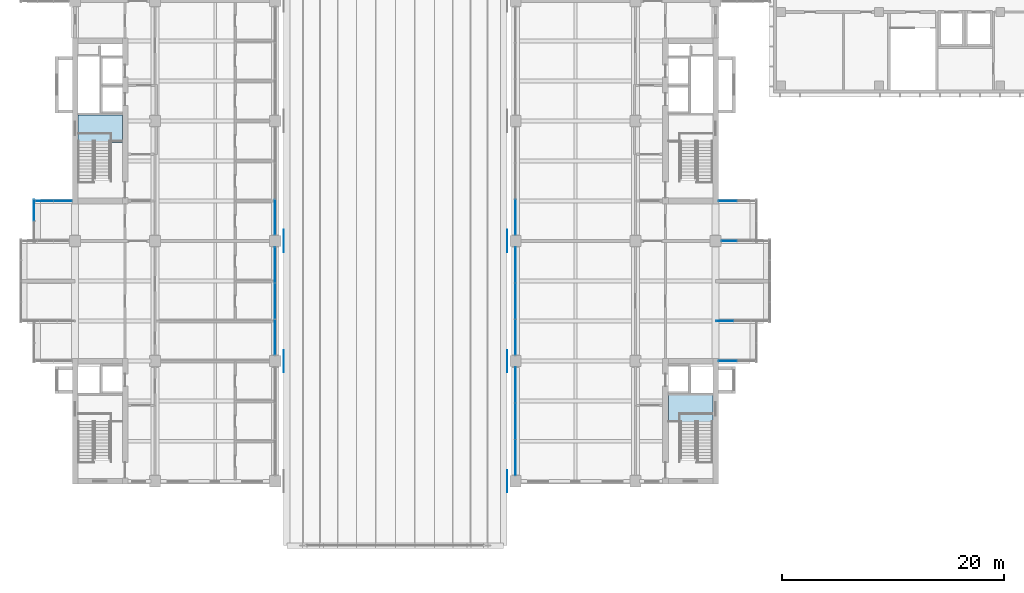
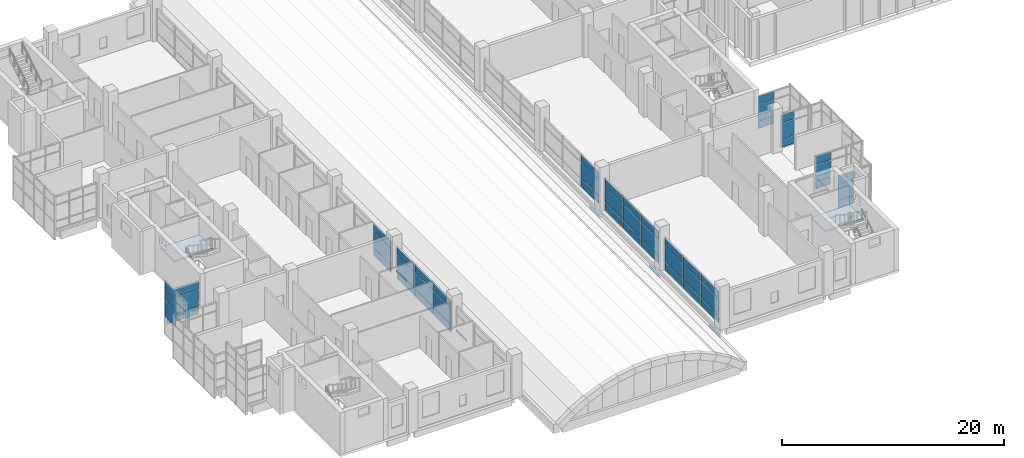
# One storey, part 25 of 45: 59 plates, 2 slabs, 13 elements without a shape of their own.
"""IFC4 building model written with IfcOpenShell, lengths in metres."""

from ifc_helpers import new_model, si_unit, direction, frame, origin, origin_2d, place, context, subcontext, project, spatial, polyline, rectangle, outline, extrude, material, layer, layer_set, type_object, element, aggregate, save


model = new_model("IFC4")

# Units and contexts
model_context = context("Model", 3, precision=1e-05, world=origin(), true_north=direction((0.0, 1.0)))
body_context = subcontext(model_context, "Body", "Model", "MODEL_VIEW")
ifc_project = project(units=[si_unit("LENGTHUNIT", "METRE"), si_unit("AREAUNIT", "SQUARE_METRE"), si_unit("VOLUMEUNIT", "CUBIC_METRE"), si_unit("PLANEANGLEUNIT", "RADIAN"), si_unit("MASSUNIT", "GRAM", prefix="KILO")], contexts=[model_context])

# Site, building, storey
site_placement = place(None, origin())
site = spatial("IfcSite", under=ifc_project, at=site_placement, CompositionType="ELEMENT")
building_placement = place(site_placement, origin())
building = spatial("IfcBuilding", under=site, at=building_placement, Name="Basin Gate Institute", CompositionType="ELEMENT")
storey_placement = place(building_placement, frame((0.0, 0.0, 22.199951171875)))
storey = spatial("IfcBuildingStorey", under=building, at=storey_placement, Name="L04", CompositionType="ELEMENT", Elevation=22.199951171875)

# Plates
ifc_material_1 = material(Name="Stainless steel", Category="steel")
ifc_layer_1 = layer(ifc_material_1, 0.0029296875)
ifc_layer_set_1 = layer_set([ifc_layer_1], Name="Stainless steel")
plate_type_1 = type_object("IfcPlateType", Name="Shell joint cover JC1", PredefinedType="SHEET", material=ifc_layer_set_1)
for number, where, z_axis, x_axis, name in (
    (1, (100.051513671875, 35.10009765625, -0.39990234375), (0.0, 0.0, 1.0), (1.0, 0.0, 0.0), "Atrium shell joint cover 1E"),
    (2, (79.948486328125, 45.89990234375, -0.39990234375), (0.0, 0.0, 1.0), (1.0, 0.0, 0.0), "Atrium shell joint cover 2W"),
    (3, (100.051513671875, 45.89990234375, -0.39990234375), (0.0, 0.0, 1.0), (1.0, 0.0, 0.0), "Atrium shell joint cover 2E"),
    (4, (79.948486328125, 56.699951171875, -0.39990234375), (0.0, 0.0, 1.0), (1.0, 0.0, 0.0), "Atrium shell joint cover 3W"),
    (5, (100.051513671875, 56.699951171875, -0.39990234375), (0.0, 0.0, 1.0), (1.0, 0.0, 0.0), "Atrium shell joint cover 3E"),
):
    element("IfcPlate", number, at=place(storey_placement, frame(where, z_axis=z_axis, x_axis=x_axis)), inside=storey, type_object=plate_type_1, material=ifc_layer_set_1, Name=name, PredefinedType="SHEET", context=body_context, shape_type="SweptSolid", body=[
        extrude(rectangle(XDim=0.0029296875, YDim=2.0, at=origin_2d()), origin(), (0.0, 0.0, 1.0), 0.300048828125),
    ])

# Curtain wall, plates
ifc_material_2 = material(Name="Aluminium-framed glazing", Category="aluminium")
ifc_layer_2 = layer(ifc_material_2, 0.199951171875)
ifc_layer_set_2 = layer_set([ifc_layer_2], Name="Atrium curtain wall CW2")
curtain_wall_type_1 = type_object("IfcCurtainWallType", Name="Atrium curtain wall CW2", PredefinedType="NOTDEFINED", material=ifc_layer_set_2)
curtain_wall_1_placement = place(storey_placement, origin())
curtain_wall_1 = element("IfcCurtainWall", 6, at=curtain_wall_1_placement, inside=storey, type_object=curtain_wall_type_1, material=ifc_layer_set_2, Name="Atrium curtain wall W wing atrium bay 2 L04", PredefinedType="NOTDEFINED")
ifc_material_3 = material(Name="Aluminium insulated spandrel panel", Category="aluminium")
ifc_layer_3 = layer(ifc_material_3, 0.050048828125)
ifc_layer_set_3 = layer_set([ifc_layer_3], Name="Spandrel panel PN2")
plate_type_2 = type_object("IfcPlateType", Name="Spandrel panel PN2", PredefinedType="CURTAIN_PANEL", material=ifc_layer_set_3)
plate_1_placement = place(storey_placement, frame((79.199951171875, 48.04833984375, 0.06005859375), z_axis=(0.0, 0.0, 1.0), x_axis=(0.0, 1.0, 0.0)))
plate_1 = element("IfcPlate", 7, at=plate_1_placement, type_object=plate_type_2, material=ifc_layer_set_3, Name="CW2 spandrel panel 1.1", PredefinedType="CURTAIN_PANEL", context=body_context, shape_type="SweptSolid", body=[
    extrude(rectangle(XDim=3.1767578125, YDim=0.050048828125, at=origin_2d()), origin(), (0.0, 0.0, 1.0), 0.81005859375),
])
plate_2_placement = place(storey_placement, frame((79.199951171875, 48.04833984375, 2.72998046875), z_axis=(0.0, 0.0, 1.0), x_axis=(0.0, 1.0, 0.0)))
plate_2 = element("IfcPlate", 8, at=plate_2_placement, type_object=plate_type_2, material=ifc_layer_set_3, Name="CW2 spandrel panel 1.3", PredefinedType="CURTAIN_PANEL", context=body_context, shape_type="SweptSolid", body=[
    extrude(rectangle(XDim=3.1767578125, YDim=0.050048828125, at=origin_2d()), origin(), (0.0, 0.0, 1.0), 0.760009765625),
])
plate_3_placement = place(storey_placement, frame((79.199951171875, 51.300048828125, 0.06005859375), z_axis=(0.0, 0.0, 1.0), x_axis=(0.0, 1.0, 0.0)))
plate_3 = element("IfcPlate", 9, at=plate_3_placement, type_object=plate_type_2, material=ifc_layer_set_3, Name="CW2 spandrel panel 2.1", PredefinedType="CURTAIN_PANEL", context=body_context, shape_type="SweptSolid", body=[
    extrude(rectangle(XDim=3.206787109375, YDim=0.050048828125, at=origin_2d()), origin(), (0.0, 0.0, 1.0), 0.81005859375),
])
plate_4_placement = place(storey_placement, frame((79.199951171875, 51.300048828125, 2.72998046875), z_axis=(0.0, 0.0, 1.0), x_axis=(0.0, 1.0, 0.0)))
plate_4 = element("IfcPlate", 10, at=plate_4_placement, type_object=plate_type_2, material=ifc_layer_set_3, Name="CW2 spandrel panel 2.3", PredefinedType="CURTAIN_PANEL", context=body_context, shape_type="SweptSolid", body=[
    extrude(rectangle(XDim=3.206787109375, YDim=0.050048828125, at=origin_2d()), origin(), (0.0, 0.0, 1.0), 0.760009765625),
])
plate_5_placement = place(storey_placement, frame((79.199951171875, 54.5517578125, 0.06005859375), z_axis=(0.0, 0.0, 1.0), x_axis=(0.0, 1.0, 0.0)))
plate_5 = element("IfcPlate", 11, at=plate_5_placement, type_object=plate_type_2, material=ifc_layer_set_3, Name="CW2 spandrel panel 3.1", PredefinedType="CURTAIN_PANEL", context=body_context, shape_type="SweptSolid", body=[
    extrude(rectangle(XDim=3.1767578125, YDim=0.050048828125, at=origin_2d()), origin(), (0.0, 0.0, 1.0), 0.81005859375),
])
plate_6_placement = place(storey_placement, frame((79.199951171875, 54.5517578125, 2.72998046875), z_axis=(0.0, 0.0, 1.0), x_axis=(0.0, 1.0, 0.0)))
plate_6 = element("IfcPlate", 12, at=plate_6_placement, type_object=plate_type_2, material=ifc_layer_set_3, Name="CW2 spandrel panel 3.3", PredefinedType="CURTAIN_PANEL", context=body_context, shape_type="SweptSolid", body=[
    extrude(rectangle(XDim=3.1767578125, YDim=0.050048828125, at=origin_2d()), origin(), (0.0, 0.0, 1.0), 0.760009765625),
])

curtain_wall_2_placement = place(storey_placement, origin())
curtain_wall_2 = element("IfcCurtainWall", 13, at=curtain_wall_2_placement, inside=storey, type_object=curtain_wall_type_1, material=ifc_layer_set_2, Name="Atrium curtain wall W wing atrium bay 3 L04", PredefinedType="NOTDEFINED")
plate_7_placement = place(storey_placement, frame((79.199951171875, 58.848388671875, 0.06005859375), z_axis=(0.0, 0.0, 1.0), x_axis=(0.0, 1.0, 0.0)))
plate_7 = element("IfcPlate", 14, at=plate_7_placement, type_object=plate_type_2, material=ifc_layer_set_3, Name="CW2 spandrel panel 1.1", PredefinedType="CURTAIN_PANEL", context=body_context, shape_type="SweptSolid", body=[
    extrude(rectangle(XDim=3.1767578125, YDim=0.050048828125, at=origin_2d()), origin(), (0.0, 0.0, 1.0), 0.81005859375),
])
plate_8_placement = place(storey_placement, frame((79.199951171875, 58.848388671875, 2.72998046875), z_axis=(0.0, 0.0, 1.0), x_axis=(0.0, 1.0, 0.0)))
plate_8 = element("IfcPlate", 15, at=plate_8_placement, type_object=plate_type_2, material=ifc_layer_set_3, Name="CW2 spandrel panel 1.3", PredefinedType="CURTAIN_PANEL", context=body_context, shape_type="SweptSolid", body=[
    extrude(rectangle(XDim=3.1767578125, YDim=0.050048828125, at=origin_2d()), origin(), (0.0, 0.0, 1.0), 0.760009765625),
])

ifc_material_4 = material(Name="Aluminium-framed glazing", Category="aluminium")
ifc_layer_4 = layer(ifc_material_4, 0.14990234375)
ifc_layer_set_4 = layer_set([ifc_layer_4], Name="Capsule front curtain wall CW1")
curtain_wall_type_2 = type_object("IfcCurtainWallType", Name="Capsule front curtain wall CW1", PredefinedType="NOTDEFINED", material=ifc_layer_set_4)
curtain_wall_3_placement = place(storey_placement, origin())
curtain_wall_3 = element("IfcCurtainWall", 16, at=curtain_wall_3_placement, inside=storey, type_object=curtain_wall_type_2, material=ifc_layer_set_4, Name="Capsule front curtain wall W wing capsule end L04 line 8", PredefinedType="NOTDEFINED")
plate_9_placement = place(storey_placement, frame((58.449951171875, 60.300048828125, 0.06005859375), z_axis=(0.0, 0.0, 1.0), x_axis=(1.0, 0.0, 0.0)))
plate_9 = element("IfcPlate", 17, at=plate_9_placement, type_object=plate_type_2, material=ifc_layer_set_3, Name="CW1 spandrel panel 1.1", PredefinedType="CURTAIN_PANEL", context=body_context, shape_type="SweptSolid", body=[
    extrude(rectangle(XDim=1.60009765625, YDim=0.050048828125, at=origin_2d()), origin(), (0.0, 0.0, 1.0), 0.81005859375),
])
plate_10_placement = place(storey_placement, frame((60.10009765625, 60.300048828125, 0.06005859375), z_axis=(0.0, 0.0, 1.0), x_axis=(1.0, 0.0, 0.0)))
plate_10 = element("IfcPlate", 18, at=plate_10_placement, type_object=plate_type_2, material=ifc_layer_set_3, Name="CW1 spandrel panel 2.1", PredefinedType="CURTAIN_PANEL", context=body_context, shape_type="SweptSolid", body=[
    extrude(rectangle(XDim=1.60009765625, YDim=0.050048828125, at=origin_2d()), origin(), (0.0, 0.0, 1.0), 0.81005859375),
])

# Curtain wall, plate
curtain_wall_4_placement = place(storey_placement, origin())
curtain_wall_4 = element("IfcCurtainWall", 19, at=curtain_wall_4_placement, inside=storey, type_object=curtain_wall_type_2, material=ifc_layer_set_4, Name="Capsule front curtain wall W wing capsule 1 L04 front 4", PredefinedType="NOTDEFINED")
plate_11_placement = place(storey_placement, frame((57.52490234375, 59.46240234375, 3.780029296875), z_axis=(0.0, 0.0, 1.0), x_axis=(0.0, 1.0, 0.0)))
plate_11 = element("IfcPlate", 20, at=plate_11_placement, type_object=plate_type_2, material=ifc_layer_set_3, Name="CW1 spandrel panel 2.4", PredefinedType="CURTAIN_PANEL", context=body_context, shape_type="SweptSolid", body=[
    extrude(rectangle(XDim=1.875, YDim=0.050048828125, at=origin_2d()), origin(), (0.0, 0.0, 1.0), 0.9599609375),
])

# Curtain wall, plates
curtain_wall_5_placement = place(storey_placement, origin())
curtain_wall_5 = element("IfcCurtainWall", 21, at=curtain_wall_5_placement, inside=storey, type_object=curtain_wall_type_1, material=ifc_layer_set_2, Name="Atrium curtain wall E wing atrium bay 1 L04", PredefinedType="NOTDEFINED")
plate_12_placement = place(storey_placement, frame((100.800048828125, 37.248291015625, 0.06005859375), z_axis=(0.0, 0.0, 1.0), x_axis=(0.0, 1.0, 0.0)))
plate_12 = element("IfcPlate", 22, at=plate_12_placement, type_object=plate_type_2, material=ifc_layer_set_3, Name="CW2 spandrel panel 1.1", PredefinedType="CURTAIN_PANEL", context=body_context, shape_type="SweptSolid", body=[
    extrude(rectangle(XDim=3.1767578125, YDim=0.050048828125, at=origin_2d()), origin(), (0.0, 0.0, 1.0), 0.81005859375),
])
plate_13_placement = place(storey_placement, frame((100.800048828125, 37.248291015625, 2.72998046875), z_axis=(0.0, 0.0, 1.0), x_axis=(0.0, 1.0, 0.0)))
plate_13 = element("IfcPlate", 23, at=plate_13_placement, type_object=plate_type_2, material=ifc_layer_set_3, Name="CW2 spandrel panel 1.3", PredefinedType="CURTAIN_PANEL", context=body_context, shape_type="SweptSolid", body=[
    extrude(rectangle(XDim=3.1767578125, YDim=0.050048828125, at=origin_2d()), origin(), (0.0, 0.0, 1.0), 0.760009765625),
])
plate_14_placement = place(storey_placement, frame((100.800048828125, 40.5, 0.06005859375), z_axis=(0.0, 0.0, 1.0), x_axis=(0.0, 1.0, 0.0)))
plate_14 = element("IfcPlate", 24, at=plate_14_placement, type_object=plate_type_2, material=ifc_layer_set_3, Name="CW2 spandrel panel 2.1", PredefinedType="CURTAIN_PANEL", context=body_context, shape_type="SweptSolid", body=[
    extrude(rectangle(XDim=3.206787109375, YDim=0.050048828125, at=origin_2d()), origin(), (0.0, 0.0, 1.0), 0.81005859375),
])
plate_15_placement = place(storey_placement, frame((100.800048828125, 40.5, 2.72998046875), z_axis=(0.0, 0.0, 1.0), x_axis=(0.0, 1.0, 0.0)))
plate_15 = element("IfcPlate", 25, at=plate_15_placement, type_object=plate_type_2, material=ifc_layer_set_3, Name="CW2 spandrel panel 2.3", PredefinedType="CURTAIN_PANEL", context=body_context, shape_type="SweptSolid", body=[
    extrude(rectangle(XDim=3.206787109375, YDim=0.050048828125, at=origin_2d()), origin(), (0.0, 0.0, 1.0), 0.760009765625),
])
plate_16_placement = place(storey_placement, frame((100.800048828125, 43.751708984375, 0.06005859375), z_axis=(0.0, 0.0, 1.0), x_axis=(0.0, 1.0, 0.0)))
plate_16 = element("IfcPlate", 26, at=plate_16_placement, type_object=plate_type_2, material=ifc_layer_set_3, Name="CW2 spandrel panel 3.1", PredefinedType="CURTAIN_PANEL", context=body_context, shape_type="SweptSolid", body=[
    extrude(rectangle(XDim=3.1767578125, YDim=0.050048828125, at=origin_2d()), origin(), (0.0, 0.0, 1.0), 0.81005859375),
])
plate_17_placement = place(storey_placement, frame((100.800048828125, 43.751708984375, 2.72998046875), z_axis=(0.0, 0.0, 1.0), x_axis=(0.0, 1.0, 0.0)))
plate_17 = element("IfcPlate", 27, at=plate_17_placement, type_object=plate_type_2, material=ifc_layer_set_3, Name="CW2 spandrel panel 3.3", PredefinedType="CURTAIN_PANEL", context=body_context, shape_type="SweptSolid", body=[
    extrude(rectangle(XDim=3.1767578125, YDim=0.050048828125, at=origin_2d()), origin(), (0.0, 0.0, 1.0), 0.760009765625),
])

curtain_wall_6_placement = place(storey_placement, origin())
curtain_wall_6 = element("IfcCurtainWall", 28, at=curtain_wall_6_placement, inside=storey, type_object=curtain_wall_type_1, material=ifc_layer_set_2, Name="Atrium curtain wall E wing atrium bay 2 L04", PredefinedType="NOTDEFINED")
plate_18_placement = place(storey_placement, frame((100.800048828125, 48.04833984375, 0.06005859375), z_axis=(0.0, 0.0, 1.0), x_axis=(0.0, 1.0, 0.0)))
plate_18 = element("IfcPlate", 29, at=plate_18_placement, type_object=plate_type_2, material=ifc_layer_set_3, Name="CW2 spandrel panel 1.1", PredefinedType="CURTAIN_PANEL", context=body_context, shape_type="SweptSolid", body=[
    extrude(rectangle(XDim=3.1767578125, YDim=0.050048828125, at=origin_2d()), origin(), (0.0, 0.0, 1.0), 0.81005859375),
])
plate_19_placement = place(storey_placement, frame((100.800048828125, 48.04833984375, 2.72998046875), z_axis=(0.0, 0.0, 1.0), x_axis=(0.0, 1.0, 0.0)))
plate_19 = element("IfcPlate", 30, at=plate_19_placement, type_object=plate_type_2, material=ifc_layer_set_3, Name="CW2 spandrel panel 1.3", PredefinedType="CURTAIN_PANEL", context=body_context, shape_type="SweptSolid", body=[
    extrude(rectangle(XDim=3.1767578125, YDim=0.050048828125, at=origin_2d()), origin(), (0.0, 0.0, 1.0), 0.760009765625),
])
plate_20_placement = place(storey_placement, frame((100.800048828125, 51.300048828125, 0.06005859375), z_axis=(0.0, 0.0, 1.0), x_axis=(0.0, 1.0, 0.0)))
plate_20 = element("IfcPlate", 31, at=plate_20_placement, type_object=plate_type_2, material=ifc_layer_set_3, Name="CW2 spandrel panel 2.1", PredefinedType="CURTAIN_PANEL", context=body_context, shape_type="SweptSolid", body=[
    extrude(rectangle(XDim=3.206787109375, YDim=0.050048828125, at=origin_2d()), origin(), (0.0, 0.0, 1.0), 0.81005859375),
])
plate_21_placement = place(storey_placement, frame((100.800048828125, 51.300048828125, 2.72998046875), z_axis=(0.0, 0.0, 1.0), x_axis=(0.0, 1.0, 0.0)))
plate_21 = element("IfcPlate", 32, at=plate_21_placement, type_object=plate_type_2, material=ifc_layer_set_3, Name="CW2 spandrel panel 2.3", PredefinedType="CURTAIN_PANEL", context=body_context, shape_type="SweptSolid", body=[
    extrude(rectangle(XDim=3.206787109375, YDim=0.050048828125, at=origin_2d()), origin(), (0.0, 0.0, 1.0), 0.760009765625),
])
plate_22_placement = place(storey_placement, frame((100.800048828125, 54.5517578125, 0.06005859375), z_axis=(0.0, 0.0, 1.0), x_axis=(0.0, 1.0, 0.0)))
plate_22 = element("IfcPlate", 33, at=plate_22_placement, type_object=plate_type_2, material=ifc_layer_set_3, Name="CW2 spandrel panel 3.1", PredefinedType="CURTAIN_PANEL", context=body_context, shape_type="SweptSolid", body=[
    extrude(rectangle(XDim=3.1767578125, YDim=0.050048828125, at=origin_2d()), origin(), (0.0, 0.0, 1.0), 0.81005859375),
])
plate_23_placement = place(storey_placement, frame((100.800048828125, 54.5517578125, 2.72998046875), z_axis=(0.0, 0.0, 1.0), x_axis=(0.0, 1.0, 0.0)))
plate_23 = element("IfcPlate", 34, at=plate_23_placement, type_object=plate_type_2, material=ifc_layer_set_3, Name="CW2 spandrel panel 3.3", PredefinedType="CURTAIN_PANEL", context=body_context, shape_type="SweptSolid", body=[
    extrude(rectangle(XDim=3.1767578125, YDim=0.050048828125, at=origin_2d()), origin(), (0.0, 0.0, 1.0), 0.760009765625),
])

curtain_wall_7_placement = place(storey_placement, origin())
curtain_wall_7 = element("IfcCurtainWall", 35, at=curtain_wall_7_placement, inside=storey, type_object=curtain_wall_type_1, material=ifc_layer_set_2, Name="Atrium curtain wall E wing atrium bay 3 L04", PredefinedType="NOTDEFINED")
plate_24_placement = place(storey_placement, frame((100.800048828125, 58.848388671875, 0.06005859375), z_axis=(0.0, 0.0, 1.0), x_axis=(0.0, 1.0, 0.0)))
plate_24 = element("IfcPlate", 36, at=plate_24_placement, type_object=plate_type_2, material=ifc_layer_set_3, Name="CW2 spandrel panel 1.1", PredefinedType="CURTAIN_PANEL", context=body_context, shape_type="SweptSolid", body=[
    extrude(rectangle(XDim=3.1767578125, YDim=0.050048828125, at=origin_2d()), origin(), (0.0, 0.0, 1.0), 0.81005859375),
])
plate_25_placement = place(storey_placement, frame((100.800048828125, 58.848388671875, 2.72998046875), z_axis=(0.0, 0.0, 1.0), x_axis=(0.0, 1.0, 0.0)))
plate_25 = element("IfcPlate", 37, at=plate_25_placement, type_object=plate_type_2, material=ifc_layer_set_3, Name="CW2 spandrel panel 1.3", PredefinedType="CURTAIN_PANEL", context=body_context, shape_type="SweptSolid", body=[
    extrude(rectangle(XDim=3.1767578125, YDim=0.050048828125, at=origin_2d()), origin(), (0.0, 0.0, 1.0), 0.760009765625),
])

# Curtain wall, plate
curtain_wall_8_placement = place(storey_placement, origin())
curtain_wall_8 = element("IfcCurtainWall", 38, at=curtain_wall_8_placement, inside=storey, type_object=curtain_wall_type_2, material=ifc_layer_set_4, Name="Capsule front curtain wall E wing capsule end L04 line 4", PredefinedType="NOTDEFINED")
plate_26_placement = place(storey_placement, frame((119.89990234375, 45.89990234375, 0.06005859375), z_axis=(0.0, 0.0, 1.0), x_axis=(-1.0, 0.0, 0.0)))
plate_26 = element("IfcPlate", 39, at=plate_26_placement, type_object=plate_type_2, material=ifc_layer_set_3, Name="CW1 spandrel panel 2.1", PredefinedType="CURTAIN_PANEL", context=body_context, shape_type="SweptSolid", body=[
    extrude(rectangle(XDim=1.60009765625, YDim=0.050048828125, at=origin_2d()), origin(), (0.0, 0.0, 1.0), 0.81005859375),
])

curtain_wall_9_placement = place(storey_placement, origin())
curtain_wall_9 = element("IfcCurtainWall", 40, at=curtain_wall_9_placement, inside=storey, type_object=curtain_wall_type_2, material=ifc_layer_set_4, Name="Capsule front curtain wall E wing capsule end L04 line 5", PredefinedType="NOTDEFINED")
plate_27_placement = place(storey_placement, frame((119.612548828125, 49.5, 0.06005859375), z_axis=(0.0, 0.0, 1.0), x_axis=(-1.0, 0.0, 0.0)))
plate_27 = element("IfcPlate", 41, at=plate_27_placement, type_object=plate_type_2, material=ifc_layer_set_3, Name="CW1 spandrel panel 3.1", PredefinedType="CURTAIN_PANEL", context=body_context, shape_type="SweptSolid", body=[
    extrude(rectangle(XDim=1.52490234375, YDim=0.050048828125, at=origin_2d()), origin(), (0.0, 0.0, 1.0), 0.81005859375),
])

curtain_wall_10_placement = place(storey_placement, origin())
curtain_wall_10 = element("IfcCurtainWall", 42, at=curtain_wall_10_placement, inside=storey, type_object=curtain_wall_type_2, material=ifc_layer_set_4, Name="Capsule front curtain wall E wing capsule end L04 line 7", PredefinedType="NOTDEFINED")
plate_28_placement = place(storey_placement, frame((120.029052734375, 56.699951171875, 0.06005859375), z_axis=(0.0, 0.0, 1.0), x_axis=(-1.0, 0.0, 0.0)))
plate_28 = element("IfcPlate", 43, at=plate_28_placement, type_object=plate_type_2, material=ifc_layer_set_3, Name="CW1 spandrel panel 3.1", PredefinedType="CURTAIN_PANEL", context=body_context, shape_type="SweptSolid", body=[
    extrude(rectangle(XDim=1.3583984375, YDim=0.050048828125, at=origin_2d()), origin(), (0.0, 0.0, 1.0), 0.81005859375),
])

curtain_wall_11_placement = place(storey_placement, origin())
curtain_wall_11 = element("IfcCurtainWall", 44, at=curtain_wall_11_placement, inside=storey, type_object=curtain_wall_type_2, material=ifc_layer_set_4, Name="Capsule front curtain wall E wing capsule end L04 line 8", PredefinedType="NOTDEFINED")
plate_29_placement = place(storey_placement, frame((119.89990234375, 60.300048828125, 0.06005859375), z_axis=(0.0, 0.0, 1.0), x_axis=(-1.0, 0.0, 0.0)))
plate_29 = element("IfcPlate", 45, at=plate_29_placement, type_object=plate_type_2, material=ifc_layer_set_3, Name="CW1 spandrel panel 2.1", PredefinedType="CURTAIN_PANEL", context=body_context, shape_type="SweptSolid", body=[
    extrude(rectangle(XDim=1.60009765625, YDim=0.050048828125, at=origin_2d()), origin(), (0.0, 0.0, 1.0), 0.81005859375),
])

# Stair, slab
ifc_material_5 = material(Name="Concrete 40 MPa", Category="concrete")
stair_type = type_object("IfcStairType", Name="Stair ST", PredefinedType="HALF_TURN_STAIR", material=ifc_material_5)
stair_1_placement = place(storey_placement, origin())
stair_1 = element("IfcStair", 46, at=stair_1_placement, inside=storey, type_object=stair_type, material=ifc_material_5, Name="Special safe stair ST-WM L04", PredefinedType="HALF_TURN_STAIR")
ifc_material_6 = material(Name="Concrete 40 MPa", Category="concrete")
ifc_layer_5 = layer(ifc_material_6, 0.199951171875)
ifc_layer_set_5 = layer_set([ifc_layer_5], Name="Concrete 40 MPa")
slab_type = type_object("IfcSlabType", Name="Stair landing LN REI 120", PredefinedType="LANDING", material=ifc_layer_set_5)
slab_1_placement = place(storey_placement, frame((0.0, 0.0, 2.288818359375)))
slab_1 = element("IfcSlab", 47, at=slab_1_placement, type_object=slab_type, material=ifc_layer_set_5, Name="Stair landing ST-WM-L1 L04", PredefinedType="LANDING", context=body_context, shape_type="SweptSolid", body=[
    extrude(outline(polyline([(61.449951171875, 65.570068359375), (65.449951171875, 65.570068359375), (65.449951171875, 68.050048828125), (61.449951171875, 68.050048828125), (61.449951171875, 65.570068359375)])), origin(), (0.0, 0.0, 1.0), 0.2001953125),
])
aggregate(stair_1, [slab_1])

stair_2_placement = place(storey_placement, origin())
stair_2 = element("IfcStair", 48, at=stair_2_placement, inside=storey, type_object=stair_type, material=ifc_material_5, Name="Special safe stair ST-ES L04", PredefinedType="HALF_TURN_STAIR")
slab_2_placement = place(storey_placement, frame((0.0, 0.0, 2.288818359375)))
slab_2 = element("IfcSlab", 49, at=slab_2_placement, type_object=slab_type, material=ifc_layer_set_5, Name="Stair landing ST-ES-L1 L04", PredefinedType="LANDING", context=body_context, shape_type="SweptSolid", body=[
    extrude(outline(polyline([(118.550048828125, 42.85009765625), (114.550048828125, 42.85009765625), (114.550048828125, 40.3701171875), (118.550048828125, 40.3701171875), (118.550048828125, 42.85009765625)])), origin(), (0.0, 0.0, 1.0), 0.2001953125),
])
aggregate(stair_2, [slab_2])

# Plate
ifc_material_7 = material(Name="Double glazed unit")
ifc_layer_6 = layer(ifc_material_7, 0.028076171875)
ifc_layer_set_6 = layer_set([ifc_layer_6], Name="Vision panel PN1")
plate_type_3 = type_object("IfcPlateType", Name="Vision panel PN1", PredefinedType="CURTAIN_PANEL", material=ifc_layer_set_6)
plate_30_placement = place(storey_placement, frame((79.199951171875, 48.04833984375, 0.93017578125), z_axis=(0.0, 0.0, 1.0), x_axis=(0.0, 1.0, 0.0)))
plate_30 = element("IfcPlate", 50, at=plate_30_placement, type_object=plate_type_3, material=ifc_layer_set_6, Name="CW2 vision panel 1.2", PredefinedType="CURTAIN_PANEL", context=body_context, shape_type="SweptSolid", body=[
    extrude(rectangle(XDim=3.1767578125, YDim=0.028076171875, at=origin_2d()), origin(), (0.0, 0.0, 1.0), 1.739990234375),
])

plate_31_placement = place(storey_placement, frame((79.199951171875, 51.300048828125, 0.93017578125), z_axis=(0.0, 0.0, 1.0), x_axis=(0.0, 1.0, 0.0)))
plate_31 = element("IfcPlate", 51, at=plate_31_placement, type_object=plate_type_3, material=ifc_layer_set_6, Name="CW2 vision panel 2.2", PredefinedType="CURTAIN_PANEL", context=body_context, shape_type="SweptSolid", body=[
    extrude(rectangle(XDim=3.206787109375, YDim=0.028076171875, at=origin_2d()), origin(), (0.0, 0.0, 1.0), 1.739990234375),
])

plate_32_placement = place(storey_placement, frame((79.199951171875, 54.5517578125, 0.93017578125), z_axis=(0.0, 0.0, 1.0), x_axis=(0.0, 1.0, 0.0)))
plate_32 = element("IfcPlate", 52, at=plate_32_placement, type_object=plate_type_3, material=ifc_layer_set_6, Name="CW2 vision panel 3.2", PredefinedType="CURTAIN_PANEL", context=body_context, shape_type="SweptSolid", body=[
    extrude(rectangle(XDim=3.1767578125, YDim=0.028076171875, at=origin_2d()), origin(), (0.0, 0.0, 1.0), 1.739990234375),
])

aggregate(curtain_wall_1, [plate_1, plate_30, plate_2, plate_3, plate_31, plate_4, plate_5, plate_32, plate_6])

plate_33_placement = place(storey_placement, frame((79.199951171875, 58.848388671875, 0.93017578125), z_axis=(0.0, 0.0, 1.0), x_axis=(0.0, 1.0, 0.0)))
plate_33 = element("IfcPlate", 53, at=plate_33_placement, type_object=plate_type_3, material=ifc_layer_set_6, Name="CW2 vision panel 1.2", PredefinedType="CURTAIN_PANEL", context=body_context, shape_type="SweptSolid", body=[
    extrude(rectangle(XDim=3.1767578125, YDim=0.028076171875, at=origin_2d()), origin(), (0.0, 0.0, 1.0), 1.739990234375),
])

aggregate(curtain_wall_2, [plate_7, plate_33, plate_8])

plate_34_placement = place(storey_placement, frame((58.449951171875, 60.300048828125, 0.93017578125), z_axis=(0.0, 0.0, 1.0), x_axis=(1.0, 0.0, 0.0)))
plate_34 = element("IfcPlate", 54, at=plate_34_placement, type_object=plate_type_3, material=ifc_layer_set_6, Name="CW1 vision panel 1.2", PredefinedType="CURTAIN_PANEL", context=body_context, shape_type="SweptSolid", body=[
    extrude(rectangle(XDim=1.60009765625, YDim=0.028076171875, at=origin_2d()), origin(), (0.0, 0.0, 1.0), 1.739990234375),
])

plate_35_placement = place(storey_placement, frame((58.449951171875, 60.300048828125, 2.72998046875), z_axis=(0.0, 0.0, 1.0), x_axis=(1.0, 0.0, 0.0)))
plate_35 = element("IfcPlate", 55, at=plate_35_placement, type_object=plate_type_3, material=ifc_layer_set_6, Name="CW1 vision panel 1.3", PredefinedType="CURTAIN_PANEL", context=body_context, shape_type="SweptSolid", body=[
    extrude(rectangle(XDim=1.60009765625, YDim=0.028076171875, at=origin_2d()), origin(), (0.0, 0.0, 1.0), 0.860107421875),
])

plate_36_placement = place(storey_placement, frame((60.10009765625, 60.300048828125, 0.93017578125), z_axis=(0.0, 0.0, 1.0), x_axis=(1.0, 0.0, 0.0)))
plate_36 = element("IfcPlate", 56, at=plate_36_placement, type_object=plate_type_3, material=ifc_layer_set_6, Name="CW1 vision panel 2.2", PredefinedType="CURTAIN_PANEL", context=body_context, shape_type="SweptSolid", body=[
    extrude(rectangle(XDim=1.60009765625, YDim=0.028076171875, at=origin_2d()), origin(), (0.0, 0.0, 1.0), 1.739990234375),
])

plate_37_placement = place(storey_placement, frame((60.10009765625, 60.300048828125, 2.72998046875), z_axis=(0.0, 0.0, 1.0), x_axis=(1.0, 0.0, 0.0)))
plate_37 = element("IfcPlate", 57, at=plate_37_placement, type_object=plate_type_3, material=ifc_layer_set_6, Name="CW1 vision panel 2.3", PredefinedType="CURTAIN_PANEL", context=body_context, shape_type="SweptSolid", body=[
    extrude(rectangle(XDim=1.60009765625, YDim=0.028076171875, at=origin_2d()), origin(), (0.0, 0.0, 1.0), 0.860107421875),
])

aggregate(curtain_wall_3, [plate_9, plate_34, plate_35, plate_10, plate_36, plate_37])

plate_38_placement = place(storey_placement, frame((57.52490234375, 59.46240234375, 0.93017578125), z_axis=(0.0, 0.0, 1.0), x_axis=(0.0, 1.0, 0.0)))
plate_38 = element("IfcPlate", 58, at=plate_38_placement, type_object=plate_type_3, material=ifc_layer_set_6, Name="CW1 vision panel 2.2", PredefinedType="CURTAIN_PANEL", context=body_context, shape_type="SweptSolid", body=[
    extrude(rectangle(XDim=1.875, YDim=0.028076171875, at=origin_2d()), origin(), (0.0, 0.0, 1.0), 1.739990234375),
])

plate_39_placement = place(storey_placement, frame((57.52490234375, 59.46240234375, 2.72998046875), z_axis=(0.0, 0.0, 1.0), x_axis=(0.0, 1.0, 0.0)))
plate_39 = element("IfcPlate", 59, at=plate_39_placement, type_object=plate_type_3, material=ifc_layer_set_6, Name="CW1 vision panel 2.3", PredefinedType="CURTAIN_PANEL", context=body_context, shape_type="SweptSolid", body=[
    extrude(rectangle(XDim=1.875, YDim=0.028076171875, at=origin_2d()), origin(), (0.0, 0.0, 1.0), 0.989990234375),
])

aggregate(curtain_wall_4, [plate_38, plate_39, plate_11])

plate_40_placement = place(storey_placement, frame((100.800048828125, 37.248291015625, 0.93017578125), z_axis=(0.0, 0.0, 1.0), x_axis=(0.0, 1.0, 0.0)))
plate_40 = element("IfcPlate", 60, at=plate_40_placement, type_object=plate_type_3, material=ifc_layer_set_6, Name="CW2 vision panel 1.2", PredefinedType="CURTAIN_PANEL", context=body_context, shape_type="SweptSolid", body=[
    extrude(rectangle(XDim=3.1767578125, YDim=0.028076171875, at=origin_2d()), origin(), (0.0, 0.0, 1.0), 1.739990234375),
])

plate_41_placement = place(storey_placement, frame((100.800048828125, 40.5, 0.93017578125), z_axis=(0.0, 0.0, 1.0), x_axis=(0.0, 1.0, 0.0)))
plate_41 = element("IfcPlate", 61, at=plate_41_placement, type_object=plate_type_3, material=ifc_layer_set_6, Name="CW2 vision panel 2.2", PredefinedType="CURTAIN_PANEL", context=body_context, shape_type="SweptSolid", body=[
    extrude(rectangle(XDim=3.206787109375, YDim=0.028076171875, at=origin_2d()), origin(), (0.0, 0.0, 1.0), 1.739990234375),
])

plate_42_placement = place(storey_placement, frame((100.800048828125, 43.751708984375, 0.93017578125), z_axis=(0.0, 0.0, 1.0), x_axis=(0.0, 1.0, 0.0)))
plate_42 = element("IfcPlate", 62, at=plate_42_placement, type_object=plate_type_3, material=ifc_layer_set_6, Name="CW2 vision panel 3.2", PredefinedType="CURTAIN_PANEL", context=body_context, shape_type="SweptSolid", body=[
    extrude(rectangle(XDim=3.1767578125, YDim=0.028076171875, at=origin_2d()), origin(), (0.0, 0.0, 1.0), 1.739990234375),
])

aggregate(curtain_wall_5, [plate_12, plate_40, plate_13, plate_14, plate_41, plate_15, plate_16, plate_42, plate_17])

plate_43_placement = place(storey_placement, frame((100.800048828125, 48.04833984375, 0.93017578125), z_axis=(0.0, 0.0, 1.0), x_axis=(0.0, 1.0, 0.0)))
plate_43 = element("IfcPlate", 63, at=plate_43_placement, type_object=plate_type_3, material=ifc_layer_set_6, Name="CW2 vision panel 1.2", PredefinedType="CURTAIN_PANEL", context=body_context, shape_type="SweptSolid", body=[
    extrude(rectangle(XDim=3.1767578125, YDim=0.028076171875, at=origin_2d()), origin(), (0.0, 0.0, 1.0), 1.739990234375),
])

plate_44_placement = place(storey_placement, frame((100.800048828125, 51.300048828125, 0.93017578125), z_axis=(0.0, 0.0, 1.0), x_axis=(0.0, 1.0, 0.0)))
plate_44 = element("IfcPlate", 64, at=plate_44_placement, type_object=plate_type_3, material=ifc_layer_set_6, Name="CW2 vision panel 2.2", PredefinedType="CURTAIN_PANEL", context=body_context, shape_type="SweptSolid", body=[
    extrude(rectangle(XDim=3.206787109375, YDim=0.028076171875, at=origin_2d()), origin(), (0.0, 0.0, 1.0), 1.739990234375),
])

plate_45_placement = place(storey_placement, frame((100.800048828125, 54.5517578125, 0.93017578125), z_axis=(0.0, 0.0, 1.0), x_axis=(0.0, 1.0, 0.0)))
plate_45 = element("IfcPlate", 65, at=plate_45_placement, type_object=plate_type_3, material=ifc_layer_set_6, Name="CW2 vision panel 3.2", PredefinedType="CURTAIN_PANEL", context=body_context, shape_type="SweptSolid", body=[
    extrude(rectangle(XDim=3.1767578125, YDim=0.028076171875, at=origin_2d()), origin(), (0.0, 0.0, 1.0), 1.739990234375),
])

aggregate(curtain_wall_6, [plate_18, plate_43, plate_19, plate_20, plate_44, plate_21, plate_22, plate_45, plate_23])

plate_46_placement = place(storey_placement, frame((100.800048828125, 58.848388671875, 0.93017578125), z_axis=(0.0, 0.0, 1.0), x_axis=(0.0, 1.0, 0.0)))
plate_46 = element("IfcPlate", 66, at=plate_46_placement, type_object=plate_type_3, material=ifc_layer_set_6, Name="CW2 vision panel 1.2", PredefinedType="CURTAIN_PANEL", context=body_context, shape_type="SweptSolid", body=[
    extrude(rectangle(XDim=3.1767578125, YDim=0.028076171875, at=origin_2d()), origin(), (0.0, 0.0, 1.0), 1.739990234375),
])

aggregate(curtain_wall_7, [plate_24, plate_46, plate_25])

plate_47_placement = place(storey_placement, frame((119.89990234375, 45.89990234375, 0.93017578125), z_axis=(0.0, 0.0, 1.0), x_axis=(-1.0, 0.0, 0.0)))
plate_47 = element("IfcPlate", 67, at=plate_47_placement, type_object=plate_type_3, material=ifc_layer_set_6, Name="CW1 vision panel 2.2", PredefinedType="CURTAIN_PANEL", context=body_context, shape_type="SweptSolid", body=[
    extrude(rectangle(XDim=1.60009765625, YDim=0.028076171875, at=origin_2d()), origin(), (0.0, 0.0, 1.0), 1.739990234375),
])

plate_48_placement = place(storey_placement, frame((119.89990234375, 45.89990234375, 2.72998046875), z_axis=(0.0, 0.0, 1.0), x_axis=(-1.0, 0.0, 0.0)))
plate_48 = element("IfcPlate", 68, at=plate_48_placement, type_object=plate_type_3, material=ifc_layer_set_6, Name="CW1 vision panel 2.3", PredefinedType="CURTAIN_PANEL", context=body_context, shape_type="SweptSolid", body=[
    extrude(rectangle(XDim=1.60009765625, YDim=0.028076171875, at=origin_2d()), origin(), (0.0, 0.0, 1.0), 0.860107421875),
])

aggregate(curtain_wall_8, [plate_26, plate_47, plate_48])

plate_49_placement = place(storey_placement, frame((119.612548828125, 49.5, 0.93017578125), z_axis=(0.0, 0.0, 1.0), x_axis=(-1.0, 0.0, 0.0)))
plate_49 = element("IfcPlate", 69, at=plate_49_placement, type_object=plate_type_3, material=ifc_layer_set_6, Name="CW1 vision panel 3.2", PredefinedType="CURTAIN_PANEL", context=body_context, shape_type="SweptSolid", body=[
    extrude(rectangle(XDim=1.52490234375, YDim=0.028076171875, at=origin_2d()), origin(), (0.0, 0.0, 1.0), 1.739990234375),
])

plate_50_placement = place(storey_placement, frame((119.612548828125, 49.5, 2.72998046875), z_axis=(0.0, 0.0, 1.0), x_axis=(-1.0, 0.0, 0.0)))
plate_50 = element("IfcPlate", 70, at=plate_50_placement, type_object=plate_type_3, material=ifc_layer_set_6, Name="CW1 vision panel 3.3", PredefinedType="CURTAIN_PANEL", context=body_context, shape_type="SweptSolid", body=[
    extrude(rectangle(XDim=1.52490234375, YDim=0.028076171875, at=origin_2d()), origin(), (0.0, 0.0, 1.0), 0.860107421875),
])

aggregate(curtain_wall_9, [plate_27, plate_49, plate_50])

plate_51_placement = place(storey_placement, frame((120.029052734375, 56.699951171875, 0.93017578125), z_axis=(0.0, 0.0, 1.0), x_axis=(-1.0, 0.0, 0.0)))
plate_51 = element("IfcPlate", 71, at=plate_51_placement, type_object=plate_type_3, material=ifc_layer_set_6, Name="CW1 vision panel 3.2", PredefinedType="CURTAIN_PANEL", context=body_context, shape_type="SweptSolid", body=[
    extrude(rectangle(XDim=1.3583984375, YDim=0.028076171875, at=origin_2d()), origin(), (0.0, 0.0, 1.0), 1.739990234375),
])

plate_52_placement = place(storey_placement, frame((120.029052734375, 56.699951171875, 2.72998046875), z_axis=(0.0, 0.0, 1.0), x_axis=(-1.0, 0.0, 0.0)))
plate_52 = element("IfcPlate", 72, at=plate_52_placement, type_object=plate_type_3, material=ifc_layer_set_6, Name="CW1 vision panel 3.3", PredefinedType="CURTAIN_PANEL", context=body_context, shape_type="SweptSolid", body=[
    extrude(rectangle(XDim=1.3583984375, YDim=0.028076171875, at=origin_2d()), origin(), (0.0, 0.0, 1.0), 0.860107421875),
])

aggregate(curtain_wall_10, [plate_28, plate_51, plate_52])

plate_53_placement = place(storey_placement, frame((119.89990234375, 60.300048828125, 0.93017578125), z_axis=(0.0, 0.0, 1.0), x_axis=(-1.0, 0.0, 0.0)))
plate_53 = element("IfcPlate", 73, at=plate_53_placement, type_object=plate_type_3, material=ifc_layer_set_6, Name="CW1 vision panel 2.2", PredefinedType="CURTAIN_PANEL", context=body_context, shape_type="SweptSolid", body=[
    extrude(rectangle(XDim=1.60009765625, YDim=0.028076171875, at=origin_2d()), origin(), (0.0, 0.0, 1.0), 1.739990234375),
])

plate_54_placement = place(storey_placement, frame((119.89990234375, 60.300048828125, 2.72998046875), z_axis=(0.0, 0.0, 1.0), x_axis=(-1.0, 0.0, 0.0)))
plate_54 = element("IfcPlate", 74, at=plate_54_placement, type_object=plate_type_3, material=ifc_layer_set_6, Name="CW1 vision panel 2.3", PredefinedType="CURTAIN_PANEL", context=body_context, shape_type="SweptSolid", body=[
    extrude(rectangle(XDim=1.60009765625, YDim=0.028076171875, at=origin_2d()), origin(), (0.0, 0.0, 1.0), 0.860107421875),
])

aggregate(curtain_wall_11, [plate_29, plate_53, plate_54])

save(model, "model.ifc")
